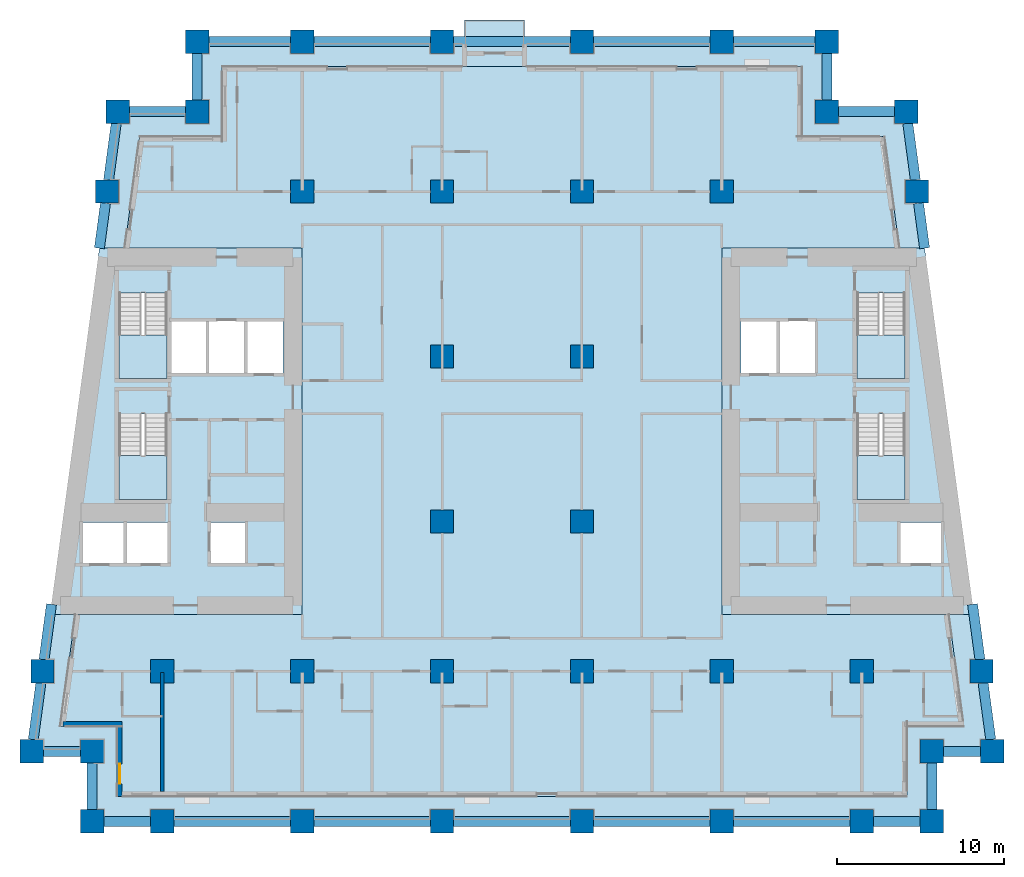
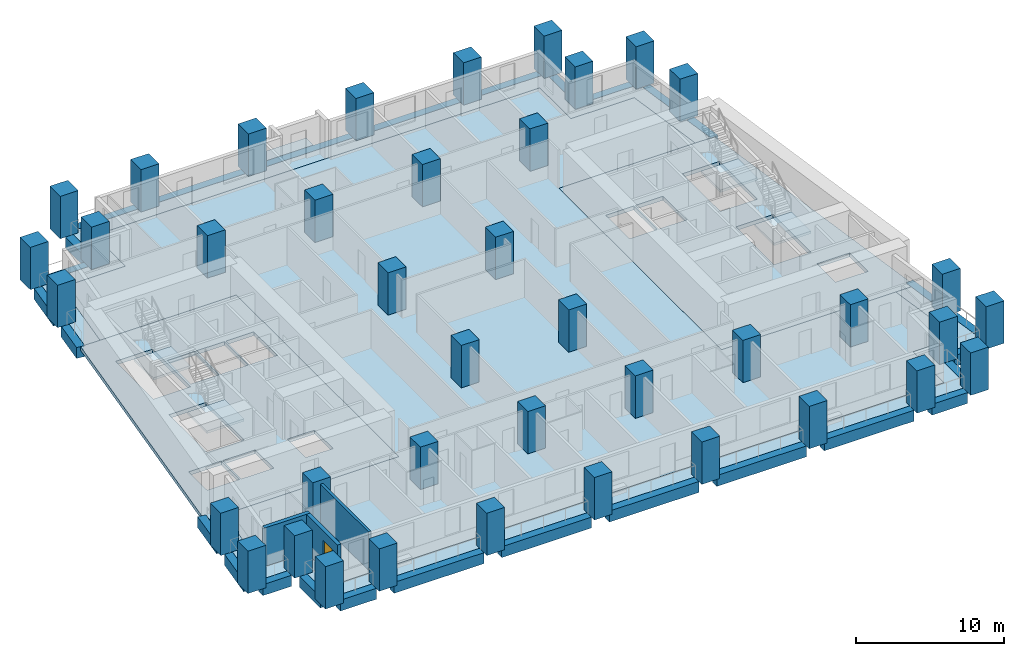
# One storey, part 1 of 12: 40 columns, 28 beams, 10 slabs, 3 walls, 1 door, 1 opening, 4 elements without a shape of their own.
"""IFC4 building model written with IfcOpenShell, lengths in metres."""

from ifc_helpers import new_model, si_unit, direction, frame, frame_2d, origin, origin_2d, place, context, subcontext, project, spatial, polyline, rectangle, outline, extrude, material, layer, layer_set, material_profile, profile_set, type_object, element, fill, aggregate, save


model = new_model("IFC4")

# Units and contexts
model_context = context("Model", 3, precision=1e-05, world=origin(), true_north=direction((0.0, 1.0)))
body_context = subcontext(model_context, "Body", "Model", "MODEL_VIEW")
ifc_project = project(units=[si_unit("LENGTHUNIT", "METRE"), si_unit("AREAUNIT", "SQUARE_METRE"), si_unit("VOLUMEUNIT", "CUBIC_METRE"), si_unit("PLANEANGLEUNIT", "RADIAN"), si_unit("MASSUNIT", "GRAM", prefix="KILO")], contexts=[model_context])

# Site, building, storey
site_placement = place(None, origin())
site = spatial("IfcSite", under=ifc_project, at=site_placement, CompositionType="ELEMENT")
building_placement = place(site_placement, origin())
building = spatial("IfcBuilding", under=site, at=building_placement, Name="Candeia Pilgrim Tower and Theatre", CompositionType="ELEMENT")
storey_placement = place(building_placement, frame((0.0, 0.0, 53.0)))
storey = spatial("IfcBuildingStorey", under=building, at=storey_placement, Name="L10", CompositionType="ELEMENT", Elevation=53.0)

# Columns
ifc_material_1 = material(Name="Concrete C80/95", Category="concrete")
ifc_material_profile_1 = material_profile(ifc_material_1, rectangle(XDim=1.39990234375, YDim=1.39990234375, at=origin_2d()))
ifc_profile_set_1 = profile_set([ifc_material_profile_1], Name="Concrete C80/95")
column_type = type_object("IfcColumnType", Name="RC 1400x1400 C80/95", PredefinedType="COLUMN", material=ifc_profile_set_1)
for number, where, z_axis, x_axis, name in (
    (1, (92.39990234375, 98.0, 0.0), (0.0, 0.0, 1.0), (1.0, 0.0, 0.0), "Column A1"),
    (2, (100.800048828125, 98.0, 0.0), (0.0, 0.0, 1.0), (1.0, 0.0, 0.0), "Column A2"),
    (3, (109.199951171875, 98.0, 0.0), (0.0, 0.0, 1.0), (1.0, 0.0, 0.0), "Column A3"),
    (4, (117.60009765625, 98.0, 0.0), (0.0, 0.0, 1.0), (1.0, 0.0, 0.0), "Column A4"),
    (5, (126.0, 98.0, 0.0), (0.0, 0.0, 1.0), (1.0, 0.0, 0.0), "Column A5"),
    (6, (134.39990234375, 98.0, 0.0), (0.0, 0.0, 1.0), (1.0, 0.0, 0.0), "Column A6"),
    (7, (88.199951171875, 98.0, 0.0), (0.0, 0.0, 1.0), (1.0, 0.0, 0.0), "Column AW"),
    (8, (138.60009765625, 98.0, 0.0), (0.0, 0.0, 1.0), (1.0, 0.0, 0.0), "Column AE"),
    (9, (88.199951171875, 102.199951171875, 0.0), (0.0, 0.0, 1.0), (1.0, 0.0, 0.0), "Column NSW"),
    (10, (138.60009765625, 102.199951171875, 0.0), (0.0, 0.0, 1.0), (1.0, 0.0, 0.0), "Column NSE"),
    (11, (94.5, 140.60009765625, 0.0), (0.0, 0.0, 1.0), (1.0, 0.0, 0.0), "Column NNW"),
    (12, (132.300048828125, 140.60009765625, 0.0), (0.0, 0.0, 1.0), (1.0, 0.0, 0.0), "Column NNE"),
    (13, (84.5654296875, 102.199951171875, 0.0), (0.0, 0.0, 1.0), (1.0, 0.0, 0.0), "Column LSW"),
    (14, (142.234619140625, 102.199951171875, 0.0), (0.0, 0.0, 1.0), (1.0, 0.0, 0.0), "Column LSE"),
    (15, (89.734619140625, 140.60009765625, 0.0), (0.0, 0.0, 1.0), (1.0, 0.0, 0.0), "Column LNW"),
    (16, (137.0654296875, 140.60009765625, 0.0), (0.0, 0.0, 1.0), (1.0, 0.0, 0.0), "Column LNE"),
    (17, (92.39990234375, 107.0, 0.0), (0.0, 0.0, 1.0), (1.0, 0.0, 0.0), "Column B1"),
    (18, (100.800048828125, 107.0, 0.0), (0.0, 0.0, 1.0), (1.0, 0.0, 0.0), "Column B2"),
    (19, (109.199951171875, 107.0, 0.0), (0.0, 0.0, 1.0), (1.0, 0.0, 0.0), "Column B3"),
    (20, (117.60009765625, 107.0, 0.0), (0.0, 0.0, 1.0), (1.0, 0.0, 0.0), "Column B4"),
    (21, (126.0, 107.0, 0.0), (0.0, 0.0, 1.0), (1.0, 0.0, 0.0), "Column B5"),
    (22, (134.39990234375, 107.0, 0.0), (0.0, 0.0, 1.0), (1.0, 0.0, 0.0), "Column B6"),
    (23, (85.21142578125, 107.0, 0.0), (0.0, 0.0, 1.0), (1.0, 0.0, 0.0), "Column BW"),
    (24, (141.58837890625, 107.0, 0.0), (0.0, 0.0, 1.0), (1.0, 0.0, 0.0), "Column BE"),
    (25, (109.199951171875, 116.0, 0.0), (0.0, 0.0, 1.0), (1.0, 0.0, 0.0), "Column C3"),
    (26, (117.60009765625, 116.0, 0.0), (0.0, 0.0, 1.0), (1.0, 0.0, 0.0), "Column C4"),
    (27, (109.199951171875, 125.89990234375, 0.0), (0.0, 0.0, 1.0), (1.0, 0.0, 0.0), "Column D3"),
    (28, (117.60009765625, 125.89990234375, 0.0), (0.0, 0.0, 1.0), (1.0, 0.0, 0.0), "Column D4"),
    (29, (100.800048828125, 135.800048828125, 0.0), (0.0, 0.0, 1.0), (1.0, 0.0, 0.0), "Column E2"),
    (30, (109.199951171875, 135.800048828125, 0.0), (0.0, 0.0, 1.0), (1.0, 0.0, 0.0), "Column E3"),
    (31, (117.60009765625, 135.800048828125, 0.0), (0.0, 0.0, 1.0), (1.0, 0.0, 0.0), "Column E4"),
    (32, (126.0, 135.800048828125, 0.0), (0.0, 0.0, 1.0), (1.0, 0.0, 0.0), "Column E5"),
    (33, (89.08837890625, 135.800048828125, 0.0), (0.0, 0.0, 1.0), (1.0, 0.0, 0.0), "Column EW"),
    (34, (137.71142578125, 135.800048828125, 0.0), (0.0, 0.0, 1.0), (1.0, 0.0, 0.0), "Column EE"),
    (35, (100.800048828125, 144.800048828125, 0.0), (0.0, 0.0, 1.0), (1.0, 0.0, 0.0), "Column F2"),
    (36, (109.199951171875, 144.800048828125, 0.0), (0.0, 0.0, 1.0), (1.0, 0.0, 0.0), "Column F3"),
    (37, (117.60009765625, 144.800048828125, 0.0), (0.0, 0.0, 1.0), (1.0, 0.0, 0.0), "Column F4"),
    (38, (126.0, 144.800048828125, 0.0), (0.0, 0.0, 1.0), (1.0, 0.0, 0.0), "Column F5"),
    (39, (94.5, 144.800048828125, 0.0), (0.0, 0.0, 1.0), (1.0, 0.0, 0.0), "Column FW"),
    (40, (132.300048828125, 144.800048828125, 0.0), (0.0, 0.0, 1.0), (1.0, 0.0, 0.0), "Column FE"),
):
    element("IfcColumn", number, at=place(storey_placement, frame(where, z_axis=z_axis, x_axis=x_axis)), inside=storey, type_object=column_type, Name=name, PredefinedType="COLUMN", context=body_context, shape_type="SweptSolid", body=[
        extrude(rectangle(XDim=1.39990234375, YDim=1.39990234375, at=origin_2d()), origin(), (0.0, 0.0, 1.0), 3.5),
    ])

# Beams
ifc_material_profile_2 = material_profile(ifc_material_1, rectangle(XDim=0.60009765625, YDim=0.89990234375, at=origin_2d()))
ifc_profile_set_2 = profile_set([ifc_material_profile_2], Name="Concrete C80/95")
beam_type = type_object("IfcBeamType", Name="RC 600x900 C80/95", PredefinedType="BEAM", material=ifc_profile_set_2)
beam_1_placement = place(storey_placement, frame((88.89990234375, 98.0, -0.449951171875), z_axis=(1.0, 0.0, 0.0), x_axis=(0.0, 1.0, 0.0)))
element("IfcBeam", 41, at=beam_1_placement, inside=storey, type_object=beam_type, Name="Spandrel beam L10-01", PredefinedType="BEAM", context=body_context, shape_type="SweptSolid", body=[
    extrude(rectangle(XDim=0.60009765625, YDim=0.89990234375, at=origin_2d()), origin(), (0.0, 0.0, 1.0), 2.800048828125),
])
for number, where, z_axis, x_axis, name in (
    (42, (93.10009765625, 98.0, -0.449951171875), (1.0, 0.0, 0.0), (0.0, 1.0, 0.0), "Spandrel beam L10-02"),
    (43, (101.5, 98.0, -0.449951171875), (1.0, 0.0, 0.0), (0.0, 1.0, 0.0), "Spandrel beam L10-03"),
    (44, (109.89990234375, 98.0, -0.449951171875), (1.0, 0.0, 0.0), (0.0, 1.0, 0.0), "Spandrel beam L10-04"),
    (45, (118.300048828125, 98.0, -0.449951171875), (1.0, 0.0, 0.0), (0.0, 1.0, 0.0), "Spandrel beam L10-05"),
    (46, (126.699951171875, 98.0, -0.449951171875), (1.0, 0.0, 0.0), (0.0, 1.0, 0.0), "Spandrel beam L10-06"),
):
    element("IfcBeam", number, at=place(storey_placement, frame(where, z_axis=z_axis, x_axis=x_axis)), inside=storey, type_object=beam_type, Name=name, PredefinedType="BEAM", context=body_context, shape_type="SweptSolid", body=[
        extrude(rectangle(XDim=0.60009765625, YDim=0.89990234375, at=origin_2d()), origin(), (0.0, 0.0, 1.0), 7.0),
    ])
beam_2_placement = place(storey_placement, frame((135.10009765625, 98.0, -0.449951171875), z_axis=(1.0, 0.0, 0.0), x_axis=(0.0, 1.0, 0.0)))
element("IfcBeam", 47, at=beam_2_placement, inside=storey, type_object=beam_type, Name="Spandrel beam L10-07", PredefinedType="BEAM", context=body_context, shape_type="SweptSolid", body=[
    extrude(rectangle(XDim=0.60009765625, YDim=0.89990234375, at=origin_2d()), origin(), (0.0, 0.0, 1.0), 2.7998046875),
])
beam_3_placement = place(storey_placement, frame((138.60009765625, 98.699951171875, -0.449951171875), z_axis=(0.0, 1.0, 0.0), x_axis=(-1.0, 0.0, 0.0)))
element("IfcBeam", 48, at=beam_3_placement, inside=storey, type_object=beam_type, Name="Spandrel beam L10-08", PredefinedType="BEAM", context=body_context, shape_type="SweptSolid", body=[
    extrude(rectangle(XDim=0.60009765625, YDim=0.89990234375, at=origin_2d()), origin(), (0.0, 0.0, 1.0), 2.800048828125),
])
beam_4_placement = place(storey_placement, frame((139.300048828125, 102.199951171875, -0.449951171875), z_axis=(1.0, 0.0, 0.0), x_axis=(0.0, 1.0, 0.0)))
element("IfcBeam", 49, at=beam_4_placement, inside=storey, type_object=beam_type, Name="Spandrel beam L10-09", PredefinedType="BEAM", context=body_context, shape_type="SweptSolid", body=[
    extrude(rectangle(XDim=0.60009765625, YDim=0.89990234375, at=origin_2d()), origin(), (0.0, 0.0, 1.0), 2.234619140625),
])
beam_5_placement = place(storey_placement, frame((142.140380859375, 102.89990234375, -0.449951171875), z_axis=(-0.133426797477, 0.991058671177, 0.0), x_axis=(-0.991058671177, -0.133426797477, 0.0)))
element("IfcBeam", 50, at=beam_5_placement, inside=storey, type_object=beam_type, Name="Spandrel beam L10-10", PredefinedType="BEAM", context=body_context, shape_type="SweptSolid", body=[
    extrude(rectangle(XDim=0.60009765625, YDim=0.89990234375, at=origin_2d()), origin(), (0.0, 0.0, 1.0), 3.430908203125),
])
beam_6_placement = place(storey_placement, frame((141.494140625, 107.699951171875, -0.449951171875), z_axis=(-0.13337488337, 0.991065659019, 0.0), x_axis=(-0.991065659019, -0.13337488337, 0.0)))
element("IfcBeam", 51, at=beam_6_placement, inside=storey, type_object=beam_type, Name="Spandrel beam L10-11", PredefinedType="BEAM", context=body_context, shape_type="SweptSolid", body=[
    extrude(rectangle(XDim=0.60009765625, YDim=0.89990234375, at=origin_2d()), origin(), (0.0, 0.0, 1.0), 3.353515625),
])
beam_7_placement = place(storey_placement, frame((138.169189453125, 132.39990234375, -0.449951171875), z_axis=(-0.133425552527, 0.991058838784, 0.0), x_axis=(-0.991058838784, -0.133425552527, 0.0)))
element("IfcBeam", 52, at=beam_7_placement, inside=storey, type_object=beam_type, Name="Spandrel beam L10-12", PredefinedType="BEAM", context=body_context, shape_type="SweptSolid", body=[
    extrude(rectangle(XDim=0.60009765625, YDim=0.89990234375, at=origin_2d()), origin(), (0.0, 0.0, 1.0), 2.724609375),
])
beam_8_placement = place(storey_placement, frame((137.6171875, 136.5, -0.449951171875), z_axis=(-0.13336630817, 0.991066813008, 0.0), x_axis=(-0.991066813008, -0.13336630817, 0.0)))
element("IfcBeam", 53, at=beam_8_placement, inside=storey, type_object=beam_type, Name="Spandrel beam L10-13", PredefinedType="BEAM", context=body_context, shape_type="SweptSolid", body=[
    extrude(rectangle(XDim=0.60009765625, YDim=0.89990234375, at=origin_2d()), origin(), (0.0, 0.0, 1.0), 3.4306640625),
])
beam_9_placement = place(storey_placement, frame((136.365478515625, 140.60009765625, -0.449951171875), z_axis=(-1.0, 0.0, 0.0), x_axis=(0.0, -1.0, 0.0)))
element("IfcBeam", 54, at=beam_9_placement, inside=storey, type_object=beam_type, Name="Spandrel beam L10-14", PredefinedType="BEAM", context=body_context, shape_type="SweptSolid", body=[
    extrude(rectangle(XDim=0.60009765625, YDim=0.89990234375, at=origin_2d()), origin(), (0.0, 0.0, 1.0), 3.365478515625),
])
beam_10_placement = place(storey_placement, frame((132.300048828125, 141.300048828125, -0.449951171875), z_axis=(0.0, 1.0, 0.0), x_axis=(-1.0, 0.0, 0.0)))
element("IfcBeam", 55, at=beam_10_placement, inside=storey, type_object=beam_type, Name="Spandrel beam L10-15", PredefinedType="BEAM", context=body_context, shape_type="SweptSolid", body=[
    extrude(rectangle(XDim=0.60009765625, YDim=0.89990234375, at=origin_2d()), origin(), (0.0, 0.0, 1.0), 2.800048828125),
])
beam_11_placement = place(storey_placement, frame((131.60009765625, 144.800048828125, -0.449951171875), z_axis=(-1.0, 0.0, 0.0), x_axis=(0.0, -1.0, 0.0)))
element("IfcBeam", 56, at=beam_11_placement, inside=storey, type_object=beam_type, Name="Spandrel beam L10-16", PredefinedType="BEAM", context=body_context, shape_type="SweptSolid", body=[
    extrude(rectangle(XDim=0.60009765625, YDim=0.89990234375, at=origin_2d()), origin(), (0.0, 0.0, 1.0), 4.900146484375),
])
for number, where, z_axis, x_axis, name in (
    (57, (125.300048828125, 144.800048828125, -0.449951171875), (-1.0, 0.0, 0.0), (0.0, -1.0, 0.0), "Spandrel beam L10-17"),
    (58, (116.89990234375, 144.800048828125, -0.449951171875), (-1.0, 0.0, 0.0), (0.0, -1.0, 0.0), "Spandrel beam L10-18"),
    (59, (108.5, 144.800048828125, -0.449951171875), (-1.0, 0.0, 0.0), (0.0, -1.0, 0.0), "Spandrel beam L10-19"),
):
    element("IfcBeam", number, at=place(storey_placement, frame(where, z_axis=z_axis, x_axis=x_axis)), inside=storey, type_object=beam_type, Name=name, PredefinedType="BEAM", context=body_context, shape_type="SweptSolid", body=[
        extrude(rectangle(XDim=0.60009765625, YDim=0.89990234375, at=origin_2d()), origin(), (0.0, 0.0, 1.0), 7.0),
    ])
beam_12_placement = place(storey_placement, frame((100.10009765625, 144.800048828125, -0.449951171875), z_axis=(-1.0, 0.0, 0.0), x_axis=(0.0, -1.0, 0.0)))
element("IfcBeam", 60, at=beam_12_placement, inside=storey, type_object=beam_type, Name="Spandrel beam L10-20", PredefinedType="BEAM", context=body_context, shape_type="SweptSolid", body=[
    extrude(rectangle(XDim=0.60009765625, YDim=0.89990234375, at=origin_2d()), origin(), (0.0, 0.0, 1.0), 4.900146484375),
])
beam_13_placement = place(storey_placement, frame((94.5, 144.10009765625, -0.449951171875), z_axis=(0.0, -1.0, 0.0), x_axis=(1.0, 0.0, 0.0)))
element("IfcBeam", 61, at=beam_13_placement, inside=storey, type_object=beam_type, Name="Spandrel beam L10-21", PredefinedType="BEAM", context=body_context, shape_type="SweptSolid", body=[
    extrude(rectangle(XDim=0.60009765625, YDim=0.89990234375, at=origin_2d()), origin(), (0.0, 0.0, 1.0), 2.800048828125),
])
beam_14_placement = place(storey_placement, frame((93.800048828125, 140.60009765625, -0.449951171875), z_axis=(-1.0, 0.0, 0.0), x_axis=(0.0, -1.0, 0.0)))
element("IfcBeam", 62, at=beam_14_placement, inside=storey, type_object=beam_type, Name="Spandrel beam L10-22", PredefinedType="BEAM", context=body_context, shape_type="SweptSolid", body=[
    extrude(rectangle(XDim=0.60009765625, YDim=0.89990234375, at=origin_2d()), origin(), (0.0, 0.0, 1.0), 3.365478515625),
])
beam_15_placement = place(storey_placement, frame((89.640380859375, 139.89990234375, -0.449951171875), z_axis=(-0.133436208017, -0.991057404185, 0.0), x_axis=(0.991057404185, -0.133436208017, 0.0)))
element("IfcBeam", 63, at=beam_15_placement, inside=storey, type_object=beam_type, Name="Spandrel beam L10-23", PredefinedType="BEAM", context=body_context, shape_type="SweptSolid", body=[
    extrude(rectangle(XDim=0.60009765625, YDim=0.89990234375, at=origin_2d()), origin(), (0.0, 0.0, 1.0), 3.4306640625),
])
beam_16_placement = place(storey_placement, frame((88.994140625, 135.10009765625, -0.449951171875), z_axis=(-0.133337538686, -0.991070684047, 0.0), x_axis=(0.991070684047, -0.133337538686, 0.0)))
element("IfcBeam", 64, at=beam_16_placement, inside=storey, type_object=beam_type, Name="Spandrel beam L10-24", PredefinedType="BEAM", context=body_context, shape_type="SweptSolid", body=[
    extrude(rectangle(XDim=0.60009765625, YDim=0.89990234375, at=origin_2d()), origin(), (0.0, 0.0, 1.0), 2.724609375),
])
beam_17_placement = place(storey_placement, frame((85.753173828125, 111.0234375, -0.449951171875), z_axis=(-0.133446390132, -0.991056033209, 0.0), x_axis=(0.991056033209, -0.133446390132, 0.0)))
element("IfcBeam", 65, at=beam_17_placement, inside=storey, type_object=beam_type, Name="Spandrel beam L10-25", PredefinedType="BEAM", context=body_context, shape_type="SweptSolid", body=[
    extrude(rectangle(XDim=0.60009765625, YDim=0.89990234375, at=origin_2d()), origin(), (0.0, 0.0, 1.0), 3.353515625),
])
beam_18_placement = place(storey_placement, frame((85.1171875, 106.300048828125, -0.449951171875), z_axis=(-0.133356902381, -0.991068078685, 0.0), x_axis=(0.991068078685, -0.133356902381, 0.0)))
element("IfcBeam", 66, at=beam_18_placement, inside=storey, type_object=beam_type, Name="Spandrel beam L10-26", PredefinedType="BEAM", context=body_context, shape_type="SweptSolid", body=[
    extrude(rectangle(XDim=0.60009765625, YDim=0.89990234375, at=origin_2d()), origin(), (0.0, 0.0, 1.0), 3.430908203125),
])
beam_19_placement = place(storey_placement, frame((85.265380859375, 102.199951171875, -0.449951171875), z_axis=(1.0, 0.0, 0.0), x_axis=(0.0, 1.0, 0.0)))
element("IfcBeam", 67, at=beam_19_placement, inside=storey, type_object=beam_type, Name="Spandrel beam L10-27", PredefinedType="BEAM", context=body_context, shape_type="SweptSolid", body=[
    extrude(rectangle(XDim=0.60009765625, YDim=0.89990234375, at=origin_2d()), origin(), (0.0, 0.0, 1.0), 2.234619140625),
])
beam_20_placement = place(storey_placement, frame((88.199951171875, 101.5, -0.449951171875), z_axis=(0.0, -1.0, 0.0), x_axis=(1.0, 0.0, 0.0)))
element("IfcBeam", 68, at=beam_20_placement, inside=storey, type_object=beam_type, Name="Spandrel beam L10-28", PredefinedType="BEAM", context=body_context, shape_type="SweptSolid", body=[
    extrude(rectangle(XDim=0.60009765625, YDim=0.89990234375, at=origin_2d()), origin(), (0.0, 0.0, 1.0), 2.800048828125),
])

# Slabs
ifc_material_2 = material(Name="Concrete C40/50", Category="concrete")
ifc_layer_1 = layer(ifc_material_2, 0.25)
ifc_layer_set_1 = layer_set([ifc_layer_1], Name="BK1 balcony slab 250")
slab_type_1 = type_object("IfcSlabType", Name="BK1 balcony slab 250", PredefinedType="USERDEFINED", material=ifc_layer_set_1)
slab_1_placement = place(storey_placement, frame((0.0, 0.0, -0.25)))
element("IfcSlab", 69, at=slab_1_placement, inside=storey, type_object=slab_type_1, Name="Balcony L10", ObjectType="BALCONY", PredefinedType="USERDEFINED", context=body_context, shape_type="SweptSolid", body=[
    extrude(outline(polyline([(110.550048828125, 144.5), (114.14990234375, 144.5), (114.14990234375, 146.10009765625), (110.550048828125, 146.10009765625), (110.550048828125, 144.5)])), origin(), (0.0, 0.0, 1.0), 0.25),
])
ifc_material_3 = material(Name="Concrete C60/75", Category="concrete")
ifc_layer_2 = layer(ifc_material_3, 0.320068359375)
ifc_layer_set_2 = layer_set([ifc_layer_2], Name="FS-CORE 320 core floor")
slab_type_2 = type_object("IfcSlabType", Name="FS-CORE 320 core floor", PredefinedType="FLOOR", material=ifc_layer_set_2)
slab_2_placement = place(storey_placement, frame((0.0, 0.0, -0.320068359375)))
element("IfcSlab", 70, at=slab_2_placement, inside=storey, type_object=slab_type_2, Name="Core floor W L10", PredefinedType="FLOOR", context=body_context, shape_type="SweptSolid", body=[
    extrude(outline(polyline([(100.800048828125, 132.39990234375), (100.800048828125, 110.39990234375), (85.669189453125, 110.39990234375), (88.630859375, 132.39990234375), (100.800048828125, 132.39990234375)]), holes=[polyline([(97.458984375, 128.050048828125), (97.458984375, 124.85009765625), (99.64990234375, 124.85009765625), (99.64990234375, 128.050048828125), (97.458984375, 128.050048828125)]), polyline([(95.277099609375, 115.949951171875), (95.277099609375, 113.449951171875), (97.41357421875, 113.449951171875), (97.41357421875, 115.949951171875), (95.277099609375, 115.949951171875)]), polyline([(95.16796875, 128.050048828125), (95.16796875, 124.85009765625), (97.35888671875, 124.85009765625), (97.35888671875, 128.050048828125), (95.16796875, 128.050048828125)]), polyline([(92.876953125, 128.050048828125), (92.876953125, 124.85009765625), (95.068115234375, 124.85009765625), (95.068115234375, 128.050048828125), (92.876953125, 128.050048828125)]), polyline([(90.228515625, 115.949951171875), (90.228515625, 113.449951171875), (92.777099609375, 113.449951171875), (92.777099609375, 115.949951171875), (90.228515625, 115.949951171875)]), polyline([(89.802001953125, 122.455078125), (89.802001953125, 117.324951171875), (92.701904296875, 117.324951171875), (92.701904296875, 122.455078125), (89.802001953125, 122.455078125)]), polyline([(89.802001953125, 129.705078125), (89.802001953125, 124.574951171875), (92.701904296875, 124.574951171875), (92.701904296875, 129.705078125), (89.802001953125, 129.705078125)]), polyline([(87.580078125, 115.949951171875), (87.580078125, 113.449951171875), (90.12841796875, 113.449951171875), (90.12841796875, 115.949951171875), (87.580078125, 115.949951171875)])]), origin(), (0.0, 0.0, 1.0), 0.320068359375),
])
slab_3_placement = place(storey_placement, frame((0.0, 0.0, -0.320068359375)))
element("IfcSlab", 71, at=slab_3_placement, inside=storey, type_object=slab_type_2, Name="Core floor E L10", PredefinedType="FLOOR", context=body_context, shape_type="SweptSolid", body=[
    extrude(outline(polyline([(138.169189453125, 132.39990234375), (141.130859375, 110.39990234375), (126.0, 110.39990234375), (126.0, 132.39990234375), (138.169189453125, 132.39990234375)]), holes=[polyline([(136.67138671875, 115.949951171875), (136.67138671875, 113.449951171875), (139.219970703125, 113.449951171875), (139.219970703125, 115.949951171875), (136.67138671875, 115.949951171875)]), polyline([(134.097900390625, 117.324951171875), (136.998046875, 117.324951171875), (136.998046875, 122.455078125), (134.097900390625, 122.455078125), (134.097900390625, 117.324951171875)]), polyline([(134.097900390625, 129.705078125), (134.097900390625, 124.574951171875), (136.998046875, 124.574951171875), (136.998046875, 129.705078125), (134.097900390625, 129.705078125)]), polyline([(131.632080078125, 128.050048828125), (129.44091796875, 128.050048828125), (129.44091796875, 124.85009765625), (131.632080078125, 124.85009765625), (131.632080078125, 128.050048828125)]), polyline([(127.14990234375, 128.050048828125), (127.14990234375, 124.85009765625), (129.341064453125, 124.85009765625), (129.341064453125, 128.050048828125), (127.14990234375, 128.050048828125)])]), origin(), (0.0, 0.0, 1.0), 0.320068359375),
])
ifc_material_4 = material(Name="Concrete C50/60", Category="concrete")
ifc_layer_3 = layer(ifc_material_4, 0.320068359375)
ifc_layer_set_3 = layer_set([ifc_layer_3], Name="Floor slab 320 C50/60")
slab_type_3 = type_object("IfcSlabType", Name="Floor slab 320 C50/60", PredefinedType="FLOOR", material=ifc_layer_set_3)
slab_4_placement = place(storey_placement, frame((0.0, 0.0, -0.320068359375)))
element("IfcSlab", 72, at=slab_4_placement, inside=storey, type_object=slab_type_3, Name="Floor slab L10", PredefinedType="FLOOR", context=body_context, shape_type="SweptSolid", body=[
    extrude(outline(polyline([(96.0, 139.10009765625), (96.0, 143.300048828125), (130.800048828125, 143.300048828125), (130.800048828125, 139.10009765625), (135.753662109375, 139.10009765625), (136.65576171875, 132.39990234375), (126.0, 132.39990234375), (126.0, 110.39990234375), (139.6171875, 110.39990234375), (140.51904296875, 103.699951171875), (137.10009765625, 103.699951171875), (137.10009765625, 99.5), (89.699951171875, 99.5), (89.699951171875, 103.699951171875), (86.28076171875, 103.699951171875), (87.182861328125, 110.39990234375), (100.800048828125, 110.39990234375), (100.800048828125, 132.39990234375), (90.144287109375, 132.39990234375), (91.046142578125, 139.10009765625), (96.0, 139.10009765625)])), origin(), (0.0, 0.0, 1.0), 0.320068359375),
])
ifc_layer_4 = layer(ifc_material_2, 0.25)
ifc_layer_set_4 = layer_set([ifc_layer_4], Name="Loggia slab 250 C40/50")
slab_type_4 = type_object("IfcSlabType", Name="Loggia slab 250 C40/50", PredefinedType="FLOOR", material=ifc_layer_set_4)
slab_5_placement = place(storey_placement, frame((0.0, 0.0, -0.25)))
element("IfcSlab", 73, at=slab_5_placement, inside=storey, type_object=slab_type_4, Name="Loggia slab L10 1", PredefinedType="FLOOR", context=body_context, shape_type="SweptSolid", body=[
    extrude(outline(polyline([(87.182861328125, 110.39990234375), (86.28076171875, 103.699951171875), (89.699951171875, 103.699951171875), (89.699951171875, 99.5), (137.10009765625, 99.5), (137.10009765625, 103.699951171875), (140.51904296875, 103.699951171875), (139.6171875, 110.39990234375), (140.828125, 110.39990234375), (141.8916015625, 102.5), (138.300048828125, 102.5), (138.300048828125, 98.300048828125), (88.5, 98.300048828125), (88.5, 102.5), (84.908447265625, 102.5), (85.971923828125, 110.39990234375), (87.182861328125, 110.39990234375)])), origin(), (0.0, 0.0, 1.0), 0.25),
])
slab_6_placement = place(storey_placement, frame((0.0, 0.0, -0.25)))
element("IfcSlab", 74, at=slab_6_placement, inside=storey, type_object=slab_type_4, Name="Loggia slab L10 2", PredefinedType="FLOOR", context=body_context, shape_type="SweptSolid", body=[
    extrude(outline(polyline([(136.65576171875, 132.39990234375), (135.753662109375, 139.10009765625), (130.800048828125, 139.10009765625), (130.800048828125, 143.300048828125), (96.0, 143.300048828125), (96.0, 139.10009765625), (91.046142578125, 139.10009765625), (90.144287109375, 132.39990234375), (88.93359375, 132.39990234375), (89.996826171875, 140.300048828125), (94.800048828125, 140.300048828125), (94.800048828125, 144.5), (132.0, 144.5), (132.0, 140.300048828125), (136.802978515625, 140.300048828125), (137.866455078125, 132.39990234375), (136.65576171875, 132.39990234375)])), origin(), (0.0, 0.0, 1.0), 0.25),
])

# Stair, slab
stair_type = type_object("IfcStairType", Name="ST-TWR dog-leg escape stair", PredefinedType="HALF_TURN_STAIR", material=ifc_material_2)
stair_1_placement = place(storey_placement, origin())
stair_1 = element("IfcStair", 75, at=stair_1_placement, inside=storey, type_object=stair_type, Name="L10 Escape stair ST1", PredefinedType="HALF_TURN_STAIR")
ifc_layer_5 = layer(ifc_material_2, 0.199951171875)
ifc_layer_set_5 = layer_set([ifc_layer_5], Name="SL-LANDING stair landing")
slab_type_5 = type_object("IfcSlabType", Name="SL-LANDING stair landing", PredefinedType="LANDING", material=ifc_layer_set_5)
slab_7_placement = place(storey_placement, frame((0.0, 0.0, 1.550048828125)))
slab_7 = element("IfcSlab", 76, at=slab_7_placement, type_object=slab_type_5, Name="ST1 landing 1", PredefinedType="LANDING", context=body_context, shape_type="SweptSolid", body=[
    extrude(outline(polyline([(89.802001953125, 119.955078125), (89.802001953125, 117.324951171875), (92.701904296875, 117.324951171875), (92.701904296875, 119.955078125), (89.802001953125, 119.955078125)])), origin(), (0.0, 0.0, 1.0), 0.199951171875),
])
aggregate(stair_1, [slab_7])

stair_2_placement = place(storey_placement, origin())
stair_2 = element("IfcStair", 77, at=stair_2_placement, inside=storey, type_object=stair_type, Name="L10 Escape stair ST2", PredefinedType="HALF_TURN_STAIR")
slab_8_placement = place(storey_placement, frame((0.0, 0.0, 1.550048828125)))
slab_8 = element("IfcSlab", 78, at=slab_8_placement, type_object=slab_type_5, Name="ST2 landing 1", PredefinedType="LANDING", context=body_context, shape_type="SweptSolid", body=[
    extrude(outline(polyline([(89.802001953125, 127.205078125), (89.802001953125, 124.574951171875), (92.701904296875, 124.574951171875), (92.701904296875, 127.205078125), (89.802001953125, 127.205078125)])), origin(), (0.0, 0.0, 1.0), 0.199951171875),
])
aggregate(stair_2, [slab_8])

stair_3_placement = place(storey_placement, origin())
stair_3 = element("IfcStair", 79, at=stair_3_placement, inside=storey, type_object=stair_type, Name="L10 Escape stair ST3", PredefinedType="HALF_TURN_STAIR")
slab_9_placement = place(storey_placement, frame((0.0, 0.0, 1.550048828125)))
slab_9 = element("IfcSlab", 80, at=slab_9_placement, type_object=slab_type_5, Name="ST3 landing 1", PredefinedType="LANDING", context=body_context, shape_type="SweptSolid", body=[
    extrude(outline(polyline([(134.097900390625, 119.955078125), (134.097900390625, 117.324951171875), (136.998046875, 117.324951171875), (136.998046875, 119.955078125), (134.097900390625, 119.955078125)])), origin(), (0.0, 0.0, 1.0), 0.199951171875),
])
aggregate(stair_3, [slab_9])

stair_4_placement = place(storey_placement, origin())
stair_4 = element("IfcStair", 81, at=stair_4_placement, inside=storey, type_object=stair_type, Name="L10 Escape stair ST4", PredefinedType="HALF_TURN_STAIR")
slab_10_placement = place(storey_placement, frame((0.0, 0.0, 1.550048828125)))
slab_10 = element("IfcSlab", 82, at=slab_10_placement, type_object=slab_type_5, Name="ST4 landing 1", PredefinedType="LANDING", context=body_context, shape_type="SweptSolid", body=[
    extrude(outline(polyline([(134.097900390625, 127.205078125), (134.097900390625, 124.574951171875), (136.998046875, 124.574951171875), (136.998046875, 127.205078125), (134.097900390625, 127.205078125)])), origin(), (0.0, 0.0, 1.0), 0.199951171875),
])
aggregate(stair_4, [slab_10])

# Wall
ifc_material_5 = material(Name="Ceramic block masonry", Category="masonry")
ifc_layer_6 = layer(ifc_material_5, 0.300048828125)
ifc_layer_set_6 = layer_set([ifc_layer_6], Name="EW1 glazing-line wall 300")
wall_type_1 = type_object("IfcWallType", Name="EW1 glazing-line wall 300", PredefinedType="SOLIDWALL", material=ifc_layer_set_6)
wall_1_placement = place(storey_placement, frame((86.452392578125, 103.85009765625, 0.0), z_axis=(0.0, 0.0, 1.0), x_axis=(1.0, 0.0, 0.0)))
element("IfcWall", 83, at=wall_1_placement, inside=storey, type_object=wall_type_1, Name="External wall L10-10.0", PredefinedType="SOLIDWALL", context=body_context, shape_type="SweptSolid", body=[
    extrude(rectangle(XDim=3.547607421875, YDim=0.300048828125, at=frame_2d((1.77392578125, 0.0))), origin(), (0.0, 0.0, 1.0), 3.179931640625),
])

# Wall, opening, door
wall_2_placement = place(storey_placement, frame((89.85009765625, 103.85009765625, 0.0), z_axis=(0.0, 0.0, 1.0), x_axis=(0.0, -1.0, 0.0)))
wall_2 = element("IfcWall", 84, at=wall_2_placement, inside=storey, type_object=wall_type_1, Name="External wall L10-11.0", PredefinedType="SOLIDWALL", context=body_context, shape_type="SweptSolid", body=[
    extrude(rectangle(XDim=4.35009765625, YDim=0.300048828125, at=frame_2d((2.175048828125, 0.0))), origin(), (0.0, 0.0, 1.0), 3.179931640625),
])
opening_placement = place(wall_2_placement, frame((2.39990234375, 0.0, 0.0)))
opening = element("IfcOpeningElement", 85, at=opening_placement, cuts=wall_2, Name="Opening L10-ED128", PredefinedType="OPENING", context=body_context, shape_type="SweptSolid", body=[
    extrude(rectangle(XDim=1.199951171875, YDim=2.39990234375, at=frame_2d((0.60009765625, 1.199951171875))), frame((0.0, 0.16015625, 0.0), z_axis=(0.0, -1.0, 0.0), x_axis=(1.0, 0.0, 0.0)), (0.0, 0.0, 1.0), 0.320068359375),
])
ifc_material_6 = material(Name="Aluminium framed glazed door", Category="aluminium")
door_type = type_object("IfcDoorType", Name="Loggia door 1200x2400", OperationType="DOUBLE_DOOR_SINGLE_SWING", PredefinedType="DOOR", material=ifc_material_6)
door_placement = place(opening_placement, origin())
door = element("IfcDoor", 86, at=door_placement, inside=storey, type_object=door_type, Name="Loggia door L10-ED128", OperationType="DOUBLE_DOOR_SINGLE_SWING", OverallHeight=2.39990234375, OverallWidth=1.199951171875, PredefinedType="DOOR", context=body_context, shape_type="SweptSolid", body=[
    extrude(rectangle(XDim=1.199951171875, YDim=2.39990234375, at=frame_2d((0.60009765625, 1.199951171875))), frame((0.0, 0.02490234375, 0.0), z_axis=(0.0, -1.0, 0.0), x_axis=(1.0, 0.0, 0.0)), (0.0, 0.0, 1.0), 0.050048828125),
])
fill(opening, door)

# Wall
ifc_material_7 = material(Name="Gypsum board partition on steel studs", Category="steel")
ifc_layer_7 = layer(ifc_material_7, 0.199951171875)
ifc_layer_set_7 = layer_set([ifc_layer_7], Name="PW-200 party wall")
wall_type_2 = type_object("IfcWallType", Name="PW-200 party wall", PredefinedType="PARTITIONING", material=ifc_layer_set_7)
wall_3_placement = place(storey_placement, frame((92.39990234375, 99.7900390625, 0.0), z_axis=(0.0, 0.0, 1.0), x_axis=(0.0, 1.0, 0.0)))
element("IfcWall", 87, at=wall_3_placement, inside=storey, type_object=wall_type_2, Name="Party wall L10-052", PredefinedType="PARTITIONING", context=body_context, shape_type="SweptSolid", body=[
    extrude(rectangle(XDim=7.135009765625, YDim=0.199951171875, at=frame_2d((3.5673828125, 0.0))), origin(), (0.0, 0.0, 1.0), 3.179931640625),
])

save(model, "model.ifc")
